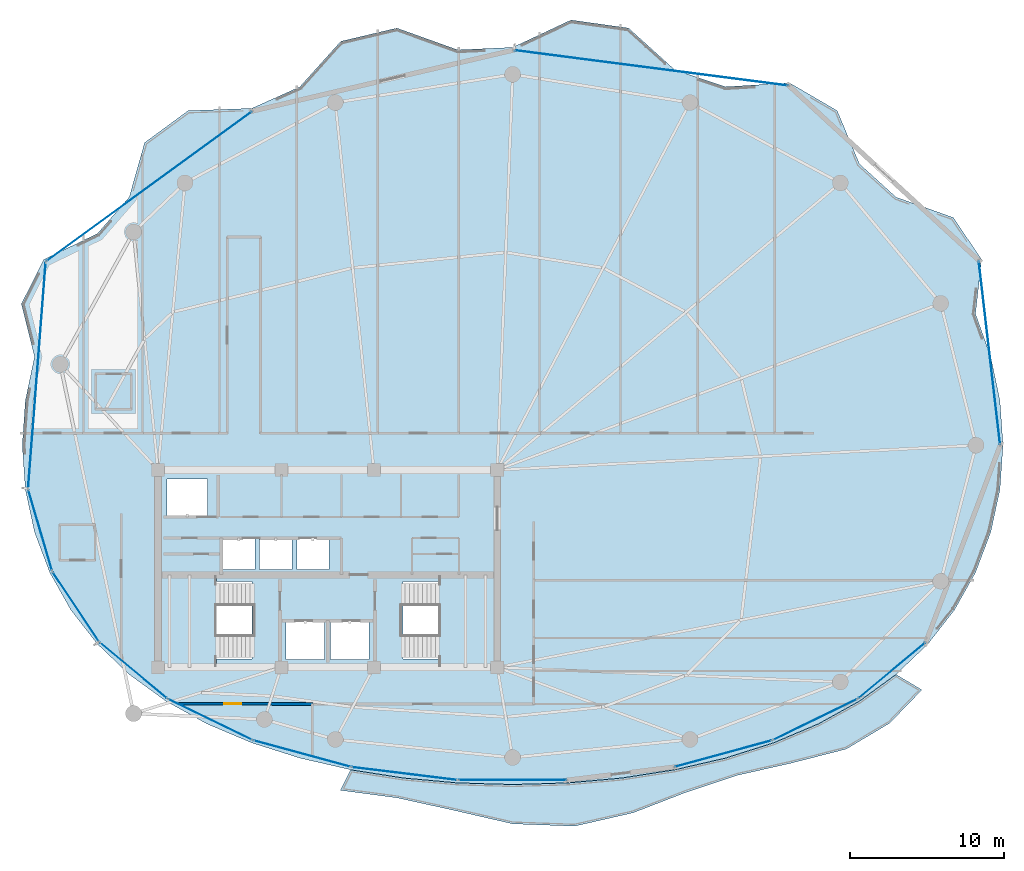
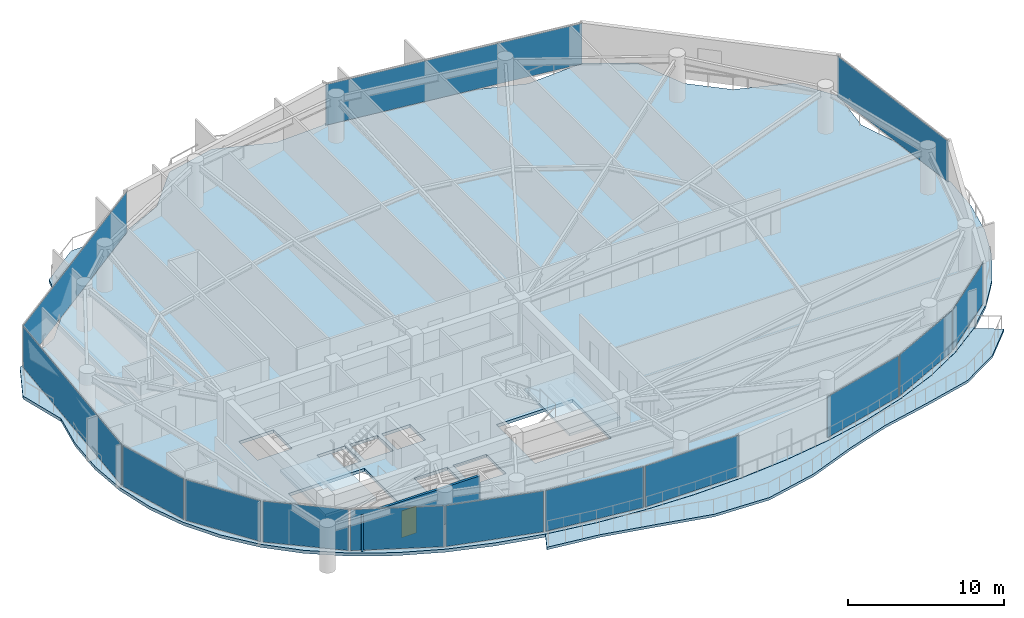
# One storey, part 24 of 31: 14 plates, 4 slabs, 1 door, 1 wall, 1 opening, 16 elements without a shape of their own.
"""IFC4 building model written with IfcOpenShell, lengths in metres."""

from ifc_helpers import new_model, si_unit, direction, frame, frame_2d, origin, origin_2d, place, context, subcontext, project, spatial, polyline, rectangle, outline, extrude, material, layer, layer_set, type_object, element, fill, aggregate, save


model = new_model("IFC4")

# Units and contexts
model_context = context("Model", 3, precision=1e-05, world=origin(), true_north=direction((0.0, 1.0)))
body_context = subcontext(model_context, "Body", "Model", "MODEL_VIEW")
ifc_project = project(units=[si_unit("LENGTHUNIT", "METRE"), si_unit("AREAUNIT", "SQUARE_METRE"), si_unit("VOLUMEUNIT", "CUBIC_METRE"), si_unit("PLANEANGLEUNIT", "RADIAN"), si_unit("MASSUNIT", "GRAM", prefix="KILO")], contexts=[model_context])

# Site, building, storey
site_placement = place(None, origin())
site = spatial("IfcSite", under=ifc_project, at=site_placement, CompositionType="ELEMENT")
building_placement = place(site_placement, origin())
building = spatial("IfcBuilding", under=site, at=building_placement, Name="Kazevale Care Tower and Concert Hall", CompositionType="ELEMENT")
storey_placement = place(building_placement, frame((0.0, 0.0, 202.800048828125)))
storey = spatial("IfcBuildingStorey", under=building, at=storey_placement, Name="L53", CompositionType="ELEMENT", Elevation=202.800048828125)

# Curtain wall, plate
ifc_material_1 = material(Name="Aluminium 6063-T6 and Low-E Glass", Category="aluminium")
ifc_layer_1 = layer(ifc_material_1, 0.179931640625)
ifc_layer_set_1 = layer_set([ifc_layer_1], Name="Aluminium 6063-T6 and Low-E Glass")
curtain_wall_type_1 = type_object("IfcCurtainWallType", Name="Waist & Upper Residential Curtain Wall CW-4", PredefinedType="NOTDEFINED", material=ifc_layer_set_1)
curtain_wall_1_placement = place(storey_placement, origin())
curtain_wall_1 = element("IfcCurtainWall", 1, at=curtain_wall_1_placement, inside=storey, type_object=curtain_wall_type_1, Name="cw:L53:f11", PredefinedType="NOTDEFINED")
ifc_material_2 = material(Name="Low-E Laminated Glass", Category="glass")
ifc_layer_2 = layer(ifc_material_2, 0.030029296875)
ifc_layer_set_2 = layer_set([ifc_layer_2], Name="Low-E Laminated Glass")
plate_type_1 = type_object("IfcPlateType", Name="CW-4 Low-E Glazing Panel 30mm", PredefinedType="CURTAIN_PANEL", material=ifc_layer_set_2)
plate_1_placement = place(storey_placement, frame((16.677978515625, 27.525390625, 0.080078125), z_axis=(0.0, 0.0, 1.0), x_axis=(-0.554616540853, 0.832106058512, 0.0)))
plate_1 = element("IfcPlate", 2, at=plate_1_placement, type_object=plate_type_1, Name="CW-4 panel 1.1", PredefinedType="CURTAIN_PANEL", context=body_context, shape_type="SweptSolid", body=[
    extrude(rectangle(XDim=5.357421875, YDim=0.030029296875, at=origin_2d()), origin(), (0.0, 0.0, 1.0), 3.199951171875),
])
aggregate(curtain_wall_1, [plate_1])

curtain_wall_2_placement = place(storey_placement, origin())
curtain_wall_2 = element("IfcCurtainWall", 3, at=curtain_wall_2_placement, inside=storey, type_object=curtain_wall_type_1, Name="cw:L53:f12", PredefinedType="NOTDEFINED")
plate_2_placement = place(storey_placement, frame((14.363525390625, 32.489013671875, 0.080078125), z_axis=(0.0, 0.0, 1.0), x_axis=(-0.282098184457, 0.959385539982, 0.0)))
plate_2 = element("IfcPlate", 4, at=plate_2_placement, type_object=plate_type_1, Name="CW-4 panel 1.1", PredefinedType="CURTAIN_PANEL", context=body_context, shape_type="SweptSolid", body=[
    extrude(rectangle(XDim=5.40185546875, YDim=0.030029296875, at=origin_2d()), origin(), (0.0, 0.0, 1.0), 3.199951171875),
])
aggregate(curtain_wall_2, [plate_2])

curtain_wall_3_placement = place(storey_placement, origin())
curtain_wall_3 = element("IfcCurtainWall", 5, at=curtain_wall_3_placement, inside=storey, type_object=curtain_wall_type_1, Name="cw:L53:f13", PredefinedType="NOTDEFINED")
plate_3_placement = place(storey_placement, frame((14.152587890625, 42.531005859375, 0.080078125), z_axis=(0.0, 0.0, 1.0), x_axis=(0.077539106325, 0.996989311372, 0.0)))
plate_3 = element("IfcPlate", 6, at=plate_3_placement, type_object=plate_type_1, Name="CW-4 panel 1.1", PredefinedType="CURTAIN_PANEL", context=body_context, shape_type="SweptSolid", body=[
    extrude(rectangle(XDim=14.632568359375, YDim=0.030029296875, at=origin_2d()), origin(), (0.0, 0.0, 1.0), 3.199951171875),
])
aggregate(curtain_wall_3, [plate_3])

curtain_wall_4_placement = place(storey_placement, origin())
curtain_wall_4 = element("IfcCurtainWall", 7, at=curtain_wall_4_placement, inside=storey, type_object=curtain_wall_type_1, Name="cw:L53:f14", PredefinedType="NOTDEFINED")
plate_4_placement = place(storey_placement, frame((21.424560546875, 54.785888671875, 0.080078125), z_axis=(0.0, 0.0, 1.0), x_axis=(0.808198348937, 0.588910374145, 0.0)))
plate_4 = element("IfcPlate", 8, at=plate_4_placement, type_object=plate_type_1, Name="CW-4 panel 1.1", PredefinedType="CURTAIN_PANEL", context=body_context, shape_type="SweptSolid", body=[
    extrude(rectangle(XDim=16.416259765625, YDim=0.030029296875, at=origin_2d()), origin(), (0.0, 0.0, 1.0), 3.199951171875),
])
aggregate(curtain_wall_4, [plate_4])

curtain_wall_5_placement = place(storey_placement, origin())
curtain_wall_5 = element("IfcCurtainWall", 9, at=curtain_wall_5_placement, inside=storey, type_object=curtain_wall_type_1, Name="cw:L53:f16", PredefinedType="NOTDEFINED")
plate_5_placement = place(storey_placement, frame((53.978515625, 62.468017578125, 0.080078125), z_axis=(0.0, 0.0, 1.0), x_axis=(0.991761497713, -0.128098132904, 0.0)))
plate_5 = element("IfcPlate", 10, at=plate_5_placement, type_object=plate_type_1, Name="CW-4 panel 1.1", PredefinedType="CURTAIN_PANEL", context=body_context, shape_type="SweptSolid", body=[
    extrude(rectangle(XDim=17.857421875, YDim=0.030029296875, at=origin_2d()), origin(), (0.0, 0.0, 1.0), 3.199951171875),
])
aggregate(curtain_wall_5, [plate_5])

curtain_wall_6_placement = place(storey_placement, origin())
curtain_wall_6 = element("IfcCurtainWall", 11, at=curtain_wall_6_placement, inside=storey, type_object=curtain_wall_type_1, Name="cw:L53:f18", PredefinedType="NOTDEFINED")
plate_6_placement = place(storey_placement, frame((75.92041015625, 43.99755859375, 0.080078125), z_axis=(0.0, 0.0, 1.0), x_axis=(0.115846659989, -0.993267109779, 0.0)))
plate_6 = element("IfcPlate", 12, at=plate_6_placement, type_object=plate_type_1, Name="CW-4 panel 1.1", PredefinedType="CURTAIN_PANEL", context=body_context, shape_type="SweptSolid", body=[
    extrude(rectangle(XDim=11.916259765625, YDim=0.030029296875, at=origin_2d()), origin(), (0.0, 0.0, 1.0), 3.199951171875),
])
aggregate(curtain_wall_6, [plate_6])

ifc_layer_3 = layer(ifc_material_1, 0.179931640625)
ifc_layer_set_3 = layer_set([ifc_layer_3], Name="Aluminium 6063-T6 and Low-E Glass")
curtain_wall_type_2 = type_object("IfcCurtainWallType", Name="Sheltered Concave Balcony Curtain Wall CW-5", PredefinedType="NOTDEFINED", material=ifc_layer_set_3)
curtain_wall_7_placement = place(storey_placement, origin())
curtain_wall_7 = element("IfcCurtainWall", 13, at=curtain_wall_7_placement, inside=storey, type_object=curtain_wall_type_2, Name="cw:L53:f02", PredefinedType="NOTDEFINED")
ifc_layer_4 = layer(ifc_material_2, 0.02587890625)
ifc_layer_set_4 = layer_set([ifc_layer_4], Name="Low-E Laminated Glass")
plate_type_2 = type_object("IfcPlateType", Name="CW-5 Low-E Glazing Panel 26mm", PredefinedType="CURTAIN_PANEL", material=ifc_layer_set_4)
plate_7_placement = place(storey_placement, frame((69.590576171875, 23.396484375, 0.074951171875), z_axis=(0.0, 0.0, 1.0), x_axis=(-0.768407210062, -0.639961217204, 0.0)))
plate_7 = element("IfcPlate", 14, at=plate_7_placement, type_object=plate_type_2, Name="CW-5 panel 1.1", PredefinedType="CURTAIN_PANEL", context=body_context, shape_type="SweptSolid", body=[
    extrude(rectangle(XDim=5.580078125, YDim=0.02587890625, at=origin_2d()), origin(), (0.0, 0.0, 1.0), 3.2099609375),
])
aggregate(curtain_wall_7, [plate_7])

curtain_wall_8_placement = place(storey_placement, origin())
curtain_wall_8 = element("IfcCurtainWall", 15, at=curtain_wall_8_placement, inside=storey, type_object=curtain_wall_type_2, Name="cw:L53:f03", PredefinedType="NOTDEFINED")
plate_8_placement = place(storey_placement, frame((64.62255859375, 20.218017578125, 0.074951171875), z_axis=(0.0, 0.0, 1.0), x_axis=(-0.89934566163, -0.437238357087, 0.0)))
plate_8 = element("IfcPlate", 16, at=plate_8_placement, type_object=plate_type_2, Name="CW-5 panel 1.1", PredefinedType="CURTAIN_PANEL", context=body_context, shape_type="SweptSolid", body=[
    extrude(rectangle(XDim=6.002197265625, YDim=0.02587890625, at=origin_2d()), origin(), (0.0, 0.0, 1.0), 3.2099609375),
])
aggregate(curtain_wall_8, [plate_8])

curtain_wall_9_placement = place(storey_placement, origin())
curtain_wall_9 = element("IfcCurtainWall", 17, at=curtain_wall_9_placement, inside=storey, type_object=curtain_wall_type_2, Name="cw:L53:f04", PredefinedType="NOTDEFINED")
plate_9_placement = place(storey_placement, frame((58.66259765625, 18.0029296875, 0.074951171875), z_axis=(0.0, 0.0, 1.0), x_axis=(-0.964836991167, -0.262848968947, 0.0)))
plate_9 = element("IfcPlate", 18, at=plate_9_placement, type_object=plate_type_2, Name="CW-5 panel 1.1", PredefinedType="CURTAIN_PANEL", context=body_context, shape_type="SweptSolid", body=[
    extrude(rectangle(XDim=6.4697265625, YDim=0.02587890625, at=origin_2d()), origin(), (0.0, 0.0, 1.0), 3.2099609375),
])
aggregate(curtain_wall_9, [plate_9])

curtain_wall_10_placement = place(storey_placement, origin())
curtain_wall_10 = element("IfcCurtainWall", 19, at=curtain_wall_10_placement, inside=storey, type_object=curtain_wall_type_2, Name="cw:L53:f06", PredefinedType="NOTDEFINED")
plate_10_placement = place(storey_placement, frame((45.0, 16.284912109375, 0.074951171875), z_axis=(0.0, 0.0, 1.0), x_axis=(-1.0, 0.0, 0.0)))
plate_10 = element("IfcPlate", 20, at=plate_10_placement, type_object=plate_type_2, Name="CW-5 panel 1.1", PredefinedType="CURTAIN_PANEL", context=body_context, shape_type="SweptSolid", body=[
    extrude(rectangle(XDim=6.949951171875, YDim=0.02587890625, at=origin_2d()), origin(), (0.0, 0.0, 1.0), 3.2099609375),
])
aggregate(curtain_wall_10, [plate_10])

curtain_wall_11_placement = place(storey_placement, origin())
curtain_wall_11 = element("IfcCurtainWall", 21, at=curtain_wall_11_placement, inside=storey, type_object=curtain_wall_type_2, Name="cw:L53:f07", PredefinedType="NOTDEFINED")
plate_11_placement = place(storey_placement, frame((37.990478515625, 16.708984375, 0.074951171875), z_axis=(0.0, 0.0, 1.0), x_axis=(-0.992572961225, 0.121650797964, 0.0)))
plate_11 = element("IfcPlate", 22, at=plate_11_placement, type_object=plate_type_2, Name="CW-5 panel 1.1", PredefinedType="CURTAIN_PANEL", context=body_context, shape_type="SweptSolid", body=[
    extrude(rectangle(XDim=6.82080078125, YDim=0.02587890625, at=origin_2d()), origin(), (0.0, 0.0, 1.0), 3.2099609375),
])
aggregate(curtain_wall_11, [plate_11])

curtain_wall_12_placement = place(storey_placement, origin())
curtain_wall_12 = element("IfcCurtainWall", 23, at=curtain_wall_12_placement, inside=storey, type_object=curtain_wall_type_2, Name="cw:L53:f08", PredefinedType="NOTDEFINED")
plate_12_placement = place(storey_placement, frame((31.33740234375, 18.0029296875, 0.074951171875), z_axis=(0.0, 0.0, 1.0), x_axis=(-0.964836991167, 0.262848968947, 0.0)))
plate_12 = element("IfcPlate", 24, at=plate_12_placement, type_object=plate_type_2, Name="CW-5 panel 1.1", PredefinedType="CURTAIN_PANEL", context=body_context, shape_type="SweptSolid", body=[
    extrude(rectangle(XDim=6.4697265625, YDim=0.02587890625, at=origin_2d()), origin(), (0.0, 0.0, 1.0), 3.2099609375),
])
aggregate(curtain_wall_12, [plate_12])

curtain_wall_13_placement = place(storey_placement, origin())
curtain_wall_13 = element("IfcCurtainWall", 25, at=curtain_wall_13_placement, inside=storey, type_object=curtain_wall_type_2, Name="cw:L53:f09", PredefinedType="NOTDEFINED")
plate_13_placement = place(storey_placement, frame((25.37744140625, 20.218017578125, 0.074951171875), z_axis=(0.0, 0.0, 1.0), x_axis=(-0.89934566163, 0.437238357087, 0.0)))
plate_13 = element("IfcPlate", 26, at=plate_13_placement, type_object=plate_type_2, Name="CW-5 panel 1.1", PredefinedType="CURTAIN_PANEL", context=body_context, shape_type="SweptSolid", body=[
    extrude(rectangle(XDim=6.002197265625, YDim=0.02587890625, at=origin_2d()), origin(), (0.0, 0.0, 1.0), 3.2099609375),
])
aggregate(curtain_wall_13, [plate_13])

curtain_wall_14_placement = place(storey_placement, origin())
curtain_wall_14 = element("IfcCurtainWall", 27, at=curtain_wall_14_placement, inside=storey, type_object=curtain_wall_type_2, Name="cw:L53:f10", PredefinedType="NOTDEFINED")
plate_14_placement = place(storey_placement, frame((20.409423828125, 23.396484375, 0.074951171875), z_axis=(0.0, 0.0, 1.0), x_axis=(-0.768407210062, 0.639961217204, 0.0)))
plate_14 = element("IfcPlate", 28, at=plate_14_placement, type_object=plate_type_2, Name="CW-5 panel 1.1", PredefinedType="CURTAIN_PANEL", context=body_context, shape_type="SweptSolid", body=[
    extrude(rectangle(XDim=5.580078125, YDim=0.02587890625, at=origin_2d()), origin(), (0.0, 0.0, 1.0), 3.2099609375),
])
aggregate(curtain_wall_14, [plate_14])

# Slab
ifc_material_3 = material(Name="Concrete C40", Category="concrete")
ifc_layer_5 = layer(ifc_material_3, 0.199951171875)
ifc_layer_set_5 = layer_set([ifc_layer_5], Name="Concrete C40")
slab_type_1 = type_object("IfcSlabType", Name="Sinusoidal Concave Balcony Slab 200", PredefinedType="USERDEFINED", material=ifc_layer_set_5)
slab_1_placement = place(storey_placement, frame((0.0, 0.0, -0.199951171875)))
element("IfcSlab", 29, at=slab_1_placement, inside=storey, type_object=slab_type_1, Name="slab:L53:bal", ObjectType="BALCONY", PredefinedType="USERDEFINED", context=body_context, shape_type="SweptSolid", body=[
    extrude(outline(polyline([(71.53662109375, 22.135986328125), (69.438720703125, 19.97021484375), (66.624755859375, 18.2958984375), (63.072021484375, 17.387939453125), (59.55908203125, 16.593994140625), (56.234130859375, 15.49072265625), (52.81591796875, 14.166748046875), (49.016845703125, 13.29931640625), (45.0, 13.4482421875), (41.151611328125, 14.333740234375), (37.50244140625, 15.13720703125), (33.83203125, 15.62353515625), (34.494873046875, 16.951416015625), (34.49609375, 16.951171875), (37.923095703125, 16.417236328125), (41.439208984375, 16.10009765625), (45.0, 15.9951171875), (48.560791015625, 16.10009765625), (52.076904296875, 16.417236328125), (55.50390625, 16.951171875), (58.798828125, 17.708740234375), (61.92041015625, 18.69873046875), (64.8291015625, 19.92919921875), (67.48876953125, 21.406494140625), (69.865478515625, 23.133056640625), (69.86669921875, 23.13427734375), (71.53662109375, 22.135986328125)])), origin(), (0.0, 0.0, 1.0), 0.199951171875),
])

# Stair, slab
stair_type = type_object("IfcStairType", Name="Exit Stair Assembly ST1-Z3", PredefinedType="HALF_TURN_STAIR", material=ifc_material_3)
stair_1_placement = place(storey_placement, origin())
stair_1 = element("IfcStair", 30, at=stair_1_placement, inside=storey, type_object=stair_type, Name="stair:L53:ST1", PredefinedType="HALF_TURN_STAIR")
ifc_layer_6 = layer(ifc_material_3, 0.199951171875)
ifc_layer_set_6 = layer_set([ifc_layer_6], Name="Concrete C40")
slab_type_2 = type_object("IfcSlabType", Name="Stair Half-Landing Slab ST1-Z3", PredefinedType="LANDING", material=ifc_layer_set_6)
slab_2_placement = place(storey_placement, frame((0.0, 0.0, 1.599853515625)))
slab_2 = element("IfcSlab", 31, at=slab_2_placement, type_object=slab_type_2, Name="ST1-Z3 landing 1", PredefinedType="LANDING", context=body_context, shape_type="SweptSolid", body=[
    extrude(outline(polyline([(22.050048828125, 23.699951171875), (25.81005859375, 23.699951171875), (25.81005859375, 29.5), (22.050048828125, 29.5), (22.050048828125, 23.699951171875)])), origin(), (0.0, 0.0, 1.0), 0.2001953125),
])
aggregate(stair_1, [slab_2])

stair_2_placement = place(storey_placement, origin())
stair_2 = element("IfcStair", 32, at=stair_2_placement, inside=storey, type_object=stair_type, Name="stair:L53:ST2", PredefinedType="HALF_TURN_STAIR")
slab_3_placement = place(storey_placement, frame((0.0, 0.0, 1.599853515625)))
slab_3 = element("IfcSlab", 33, at=slab_3_placement, type_object=slab_type_2, Name="ST1-Z3 landing 1", PredefinedType="LANDING", context=body_context, shape_type="SweptSolid", body=[
    extrude(outline(polyline([(40.18994140625, 23.699951171875), (43.949951171875, 23.699951171875), (43.949951171875, 29.5), (40.18994140625, 29.5), (40.18994140625, 23.699951171875)])), origin(), (0.0, 0.0, 1.0), 0.2001953125),
])
aggregate(stair_2, [slab_3])

# Slab
ifc_layer_7 = layer(ifc_material_3, 0.239990234375)
ifc_layer_set_7 = layer_set([ifc_layer_7], Name="Concrete C40")
slab_type_3 = type_object("IfcSlabType", Name="Tower Typical Floor Slab 240", PredefinedType="FLOOR", material=ifc_layer_set_7)
slab_4_placement = place(storey_placement, frame((0.0, 0.0, -0.239990234375)))
element("IfcSlab", 34, at=slab_4_placement, inside=storey, type_object=slab_type_3, Name="slab:L53:tw:1", PredefinedType="FLOOR", context=body_context, shape_type="SweptSolid", body=[
    extrude(outline(polyline([(76.800048828125, 38.0), (76.60009765625, 40.888671875), (76.002685546875, 43.740966796875), (75.015380859375, 46.521240234375), (75.40771484375, 50.040283203125), (73.576904296875, 52.763916015625), (69.8623046875, 54.0859375), (67.486083984375, 56.243408203125), (66.042724609375, 59.69580078125), (62.9560546875, 61.49658203125), (58.797607421875, 61.2451171875), (55.5029296875, 62.352294921875), (52.510009765625, 65.05419921875), (48.77880859375, 65.575439453125), (45.0, 63.800048828125), (41.439453125, 63.6376953125), (37.489990234375, 65.05419921875), (33.85302734375, 64.19287109375), (31.202392578125, 61.2451171875), (28.081298828125, 59.845458984375), (23.957275390625, 59.69580078125), (21.135009765625, 57.622314453125), (20.1376953125, 54.0859375), (18.07421875, 51.726318359375), (14.59228515625, 50.040283203125), (13.143798828125, 47.165283203125), (13.997314453125, 43.740966796875), (13.39990234375, 40.888671875), (13.199951171875, 38.0), (13.39990234375, 35.131103515625), (13.997314453125, 32.362060546875), (14.984619140625, 29.744873046875), (16.34912109375, 27.318115234375), (18.07421875, 25.109130859375), (20.1376953125, 23.13671875), (22.513916015625, 21.41064453125), (25.173095703125, 19.933837890625), (28.081298828125, 18.70361328125), (31.202392578125, 17.713623046875), (34.4970703125, 16.9560546875), (37.923828125, 16.422119140625), (41.439453125, 16.10498046875), (45.0, 16.0), (48.560546875, 16.10498046875), (52.076171875, 16.422119140625), (55.5029296875, 16.9560546875), (58.797607421875, 17.713623046875), (61.918701171875, 18.70361328125), (64.826904296875, 19.933837890625), (67.486083984375, 21.41064453125), (69.8623046875, 23.13671875), (71.92578125, 25.109130859375), (73.65087890625, 27.318115234375), (75.015380859375, 29.744873046875), (76.002685546875, 32.362060546875), (76.60009765625, 35.131103515625), (76.800048828125, 38.0)]), holes=[polyline([(22.449951171875, 24.14990234375), (28.110107421875, 24.14990234375), (28.110107421875, 29.14990234375), (22.449951171875, 29.14990234375), (22.449951171875, 24.14990234375)]), polyline([(37.889892578125, 24.14990234375), (43.550048828125, 24.14990234375), (43.550048828125, 29.14990234375), (37.889892578125, 29.14990234375), (37.889892578125, 24.14990234375)]), polyline([(30.300048828125, 24.10009765625), (32.800048828125, 24.10009765625), (32.800048828125, 26.60009765625), (30.300048828125, 26.60009765625), (30.300048828125, 24.10009765625)]), polyline([(33.199951171875, 24.10009765625), (35.699951171875, 24.10009765625), (35.699951171875, 26.60009765625), (33.199951171875, 26.60009765625), (33.199951171875, 24.10009765625)]), polyline([(22.60009765625, 33.39990234375), (25.199951171875, 33.39990234375), (25.199951171875, 35.800048828125), (22.60009765625, 35.800048828125), (22.60009765625, 33.39990234375)]), polyline([(26.199951171875, 29.949951171875), (28.300048828125, 29.949951171875), (28.300048828125, 31.949951171875), (26.199951171875, 31.949951171875), (26.199951171875, 29.949951171875)]), polyline([(28.60009765625, 29.949951171875), (30.699951171875, 29.949951171875), (30.699951171875, 31.949951171875), (28.60009765625, 31.949951171875), (28.60009765625, 29.949951171875)]), polyline([(31.0, 29.949951171875), (33.10009765625, 29.949951171875), (33.10009765625, 31.949951171875), (31.0, 31.949951171875), (31.0, 29.949951171875)])]), origin(), (0.0, 0.0, 1.0), 0.239990234375),
])

# Wall, opening, door
ifc_material_4 = material(Name="Concrete C40 and Acoustic Gypsum", Category="concrete")
ifc_layer_8 = layer(ifc_material_4, 0.179931640625)
ifc_layer_set_8 = layer_set([ifc_layer_8], Name="Concrete C40 and Acoustic Gypsum")
wall_type = type_object("IfcWallType", Name="Fire-Rated Corridor & Party Wall 180", PredefinedType="PARTITIONING", material=ifc_layer_set_8)
wall_placement = place(storey_placement, frame((32.06494140625, 21.22509765625, 0.0), z_axis=(0.0, 0.0, 1.0), x_axis=(-0.999998107366, 0.001945575683, 0.0)))
wall = element("IfcWall", 35, at=wall_placement, inside=storey, type_object=wall_type, Name="wall:L53:auto_020", PredefinedType="PARTITIONING", context=body_context, shape_type="SweptSolid", body=[
    extrude(rectangle(XDim=8.783935546875, YDim=0.179931640625, at=frame_2d((4.39208984375, 0.0))), origin(), (0.0, 0.0, 1.0), 2.889892578125),
])
opening_placement = place(wall_placement, frame((4.678955078125, 0.0, 0.0)))
opening = element("IfcOpeningElement", 36, at=opening_placement, cuts=wall, Name="Opening ID-1100", PredefinedType="OPENING", context=body_context, shape_type="SweptSolid", body=[
    extrude(rectangle(XDim=1.10009765625, YDim=2.10009765625, at=frame_2d((0.550048828125, 1.050048828125))), frame((0.0, 0.099853515625, 0.0), z_axis=(0.0, -1.0, 0.0), x_axis=(1.0, 0.0, 0.0)), (0.0, 0.0, 1.0), 0.199951171875),
])
ifc_material_5 = material(Name="Oak Timber Fire Leaf", Category="wood")
door_type = type_object("IfcDoorType", Name="Care Bedroom Accessible Door 1100x2100", OperationType="NOTDEFINED", PredefinedType="DOOR", material=ifc_material_5)
door_placement = place(opening_placement, origin())
door = element("IfcDoor", 37, at=door_placement, inside=storey, type_object=door_type, Name="door:L53:ad_020", OperationType="SINGLE_SWING_LEFT", OverallHeight=2.10009765625, OverallWidth=1.10009765625, PredefinedType="DOOR", context=body_context, shape_type="SweptSolid", body=[
    extrude(rectangle(XDim=1.10009765625, YDim=2.10009765625, at=frame_2d((0.550048828125, 1.050048828125))), frame((0.0, 0.02490234375, 0.0), z_axis=(0.0, -1.0, 0.0), x_axis=(1.0, 0.0, 0.0)), (0.0, 0.0, 1.0), 0.050048828125),
])
fill(opening, door)

save(model, "model.ifc")
